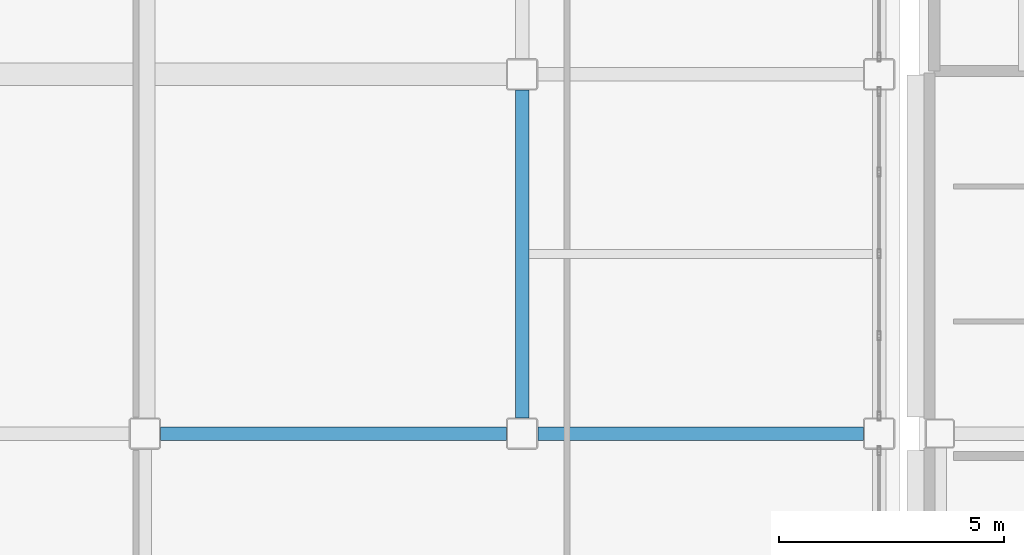
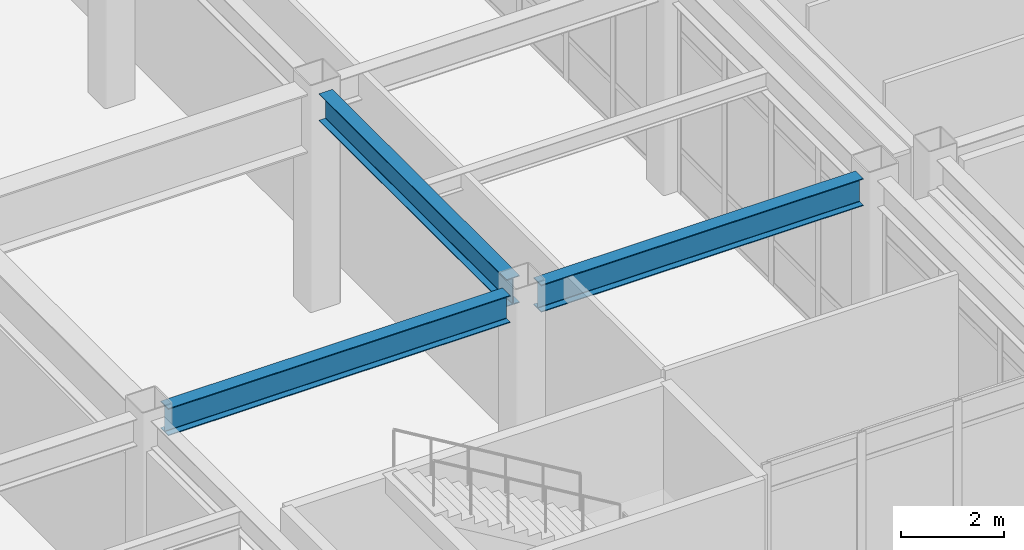
# One storey, part 15 of 165: 3 beams.
"""IFC4 building model written with IfcOpenShell, lengths in metres."""

from ifc_helpers import new_model, si_unit, direction, frame, origin, origin_2d, place, context, subcontext, project, spatial, i_section, extrude, material, material_profile, profile_set, type_object, element, save


model = new_model("IFC4")

# Units and contexts
model_context = context("Model", 3, precision=1e-05, world=origin(), true_north=direction((0.0, 1.0)))
body_context = subcontext(model_context, "Body", "Model", "MODEL_VIEW")
ifc_project = project(units=[si_unit("LENGTHUNIT", "METRE"), si_unit("AREAUNIT", "SQUARE_METRE"), si_unit("VOLUMEUNIT", "CUBIC_METRE"), si_unit("PLANEANGLEUNIT", "RADIAN"), si_unit("MASSUNIT", "GRAM", prefix="KILO")], contexts=[model_context])

# Site, building, storey
site_placement = place(None, origin())
site = spatial("IfcSite", under=ifc_project, at=site_placement, CompositionType="ELEMENT")
building_placement = place(site_placement, origin())
building = spatial("IfcBuilding", under=site, at=building_placement, Name="Kazehara Bluff Congress Hotel", CompositionType="ELEMENT")
storey_placement = place(building_placement, origin())
storey = spatial("IfcBuildingStorey", under=building, at=storey_placement, Name="L00", CompositionType="ELEMENT", Elevation=0.0)

# Beams
ifc_material = material(Name="Steel SN490B", Category="steel")
ifc_material_profile = material_profile(ifc_material, i_section(OverallWidth=0.300048828125, OverallDepth=0.64990234375, WebThickness=0.011962890625, FlangeThickness=0.02001953125, FilletRadius=0.012939453125, at=origin_2d()))
ifc_profile_set = profile_set([ifc_material_profile], Name="Steel SN490B")
beam_type = type_object("IfcBeamType", Name="TP-G-03", PredefinedType="BEAM", material=ifc_profile_set)
beam_1_placement = place(storey_placement, frame((50.39990234375, 8.35009765625, 4.824951171875), z_axis=(0.0, 1.0, 0.0), x_axis=(-1.0, 0.0, 0.0)))
element("IfcBeam", 1, at=beam_1_placement, inside=storey, type_object=beam_type, Name="L00 girder G-03 61", PredefinedType="BEAM", context=body_context, shape_type="SweptSolid", body=[
    extrude(i_section(OverallWidth=0.300048828125, OverallDepth=0.64990234375, WebThickness=0.011962890625, FlangeThickness=0.02001953125, FilletRadius=0.012939453125, at=origin_2d()), origin(), (0.0, 0.0, 1.0), 7.2998046875),
])
beam_2_placement = place(storey_placement, frame((42.35009765625, 8.0, 4.824951171875), z_axis=(1.0, 0.0, 0.0), x_axis=(0.0, 1.0, 0.0)))
element("IfcBeam", 2, at=beam_2_placement, inside=storey, type_object=beam_type, Name="L00 girder G-03 78", PredefinedType="BEAM", context=body_context, shape_type="SweptSolid", body=[
    extrude(i_section(OverallWidth=0.300048828125, OverallDepth=0.64990234375, WebThickness=0.011962890625, FlangeThickness=0.02001953125, FilletRadius=0.012939453125, at=origin_2d()), origin(), (0.0, 0.0, 1.0), 7.699951171875),
])
beam_3_placement = place(storey_placement, frame((50.75, 8.0, 4.824951171875), z_axis=(1.0, 0.0, 0.0), x_axis=(0.0, 1.0, 0.0)))
element("IfcBeam", 3, at=beam_3_placement, inside=storey, type_object=beam_type, Name="L00 girder G-03 79", PredefinedType="BEAM", context=body_context, shape_type="SweptSolid", body=[
    extrude(i_section(OverallWidth=0.300048828125, OverallDepth=0.64990234375, WebThickness=0.011962890625, FlangeThickness=0.02001953125, FilletRadius=0.012939453125, at=origin_2d()), origin(), (0.0, 0.0, 1.0), 7.25),
])

save(model, "model.ifc")
